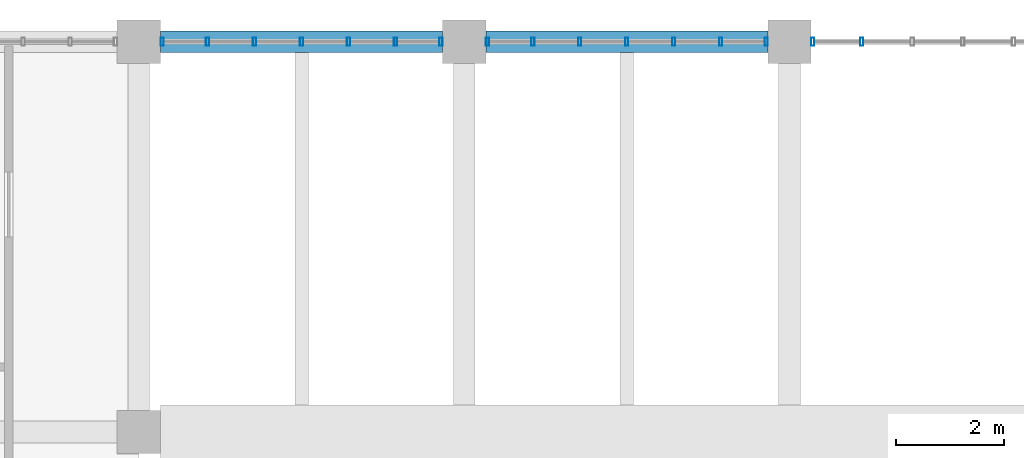
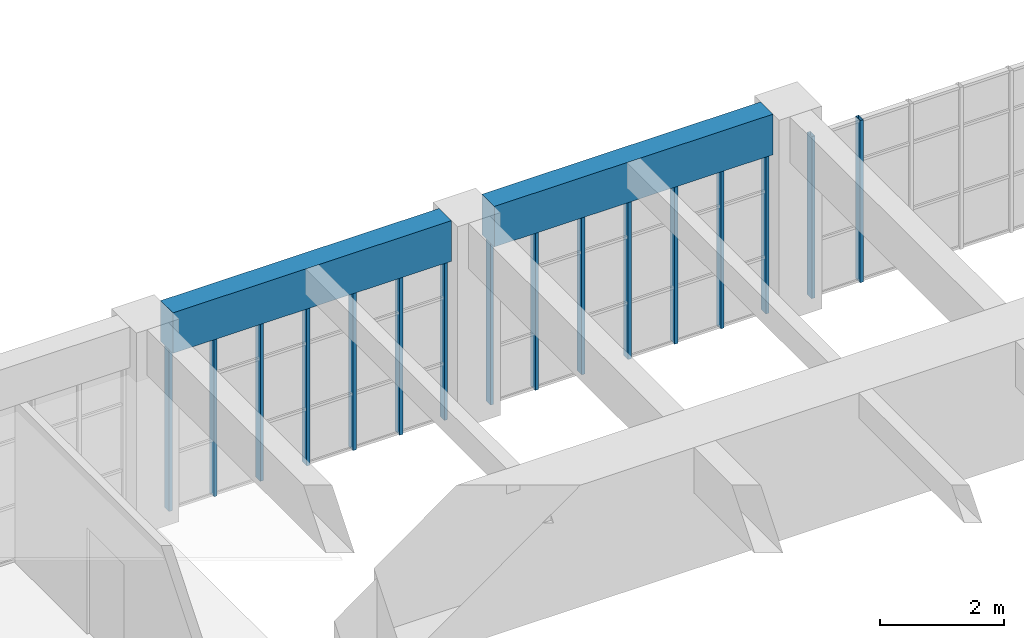
# One storey, part 20 of 47: 16 members, 2 beams, 3 elements without a shape of their own.
"""IFC4 building model written with IfcOpenShell, lengths in metres."""

import ifcopenshell
import ifcopenshell.guid

model = None  # the IFC model being written
_history = None  # IfcOwnerHistory: only IFC2X3 demands one
_inside = {}  # id of a spatial element -> (the spatial element, [elements in it])
_under = {}  # id of a project, library or spatial element -> (it, [spatial elements below it])
_declared = {}  # id of a project -> (the project, [libraries it declares])
_typed = {}  # id of a type object -> (the type object, [elements of that type])
_made_of = {}  # id of a material, layer set ... -> (it, [elements and type objects made of it])


def new_model(schema):
    """Start an empty IFC model of exactly this schema.

    Asked for "IFC4X3", IfcOpenShell would pick the latest addendum, in which some entities
    have other attributes; the version numbers below select the first issue.
    IFC2X3 requires an IfcOwnerHistory on every rooted entity: one is made here for all.
    """
    global model, _history
    if schema == "IFC4X3":
        model = ifcopenshell.file(schema_version=(4, 3, 0, 0))
    else:
        model = ifcopenshell.file(schema=schema)
    _inside.clear()
    _under.clear()
    _declared.clear()
    _typed.clear()
    _made_of.clear()
    _history = None
    if model.schema == "IFC2X3":
        org = make("IfcOrganization", Name="unknown")
        user = make(
            "IfcPersonAndOrganization",
            ThePerson=make("IfcPerson", FamilyName="unknown"),
            TheOrganization=org,
        )
        app = make(
            "IfcApplication",
            ApplicationDeveloper=org,
            Version="unknown",
            ApplicationFullName="unknown",
            ApplicationIdentifier="unknown",
        )
        _history = make(
            "IfcOwnerHistory",
            OwningUser=user,
            OwningApplication=app,
            ChangeAction="ADDED",
            CreationDate=0,
        )
    return model


def make(cls, **values):
    """One entity of the class cls with the attributes given. An attribute that is None is left unset."""
    return model.create_entity(
        cls, **{name: value for name, value in values.items() if value is not None}
    )


def rooted(cls, **values):
    """An entity with a GlobalId (a new one), such as an element, a storey or a relation."""
    return make(cls, GlobalId=ifcopenshell.guid.new(), OwnerHistory=_history, **values)


def si_unit(unit_type, name, prefix=None):
    """IfcSIUnit, for example si_unit("LENGTHUNIT", "METRE", prefix="MILLI")."""
    return make("IfcSIUnit", UnitType=unit_type, Prefix=prefix, Name=name)


def assignment(units):
    """IfcUnitAssignment: the units of a project."""
    return None if units is None else make("IfcUnitAssignment", Units=units)


def point(xyz):
    """IfcCartesianPoint."""
    return None if xyz is None else make("IfcCartesianPoint", Coordinates=xyz)


def direction(xyz):
    """IfcDirection."""
    return None if xyz is None else make("IfcDirection", DirectionRatios=xyz)


def frame(location, z_axis=None, x_axis=None):
    """IfcAxis2Placement3D, a coordinate frame: its origin and axes. An axis left out is left unset."""
    return make(
        "IfcAxis2Placement3D",
        Location=point(location),
        Axis=direction(z_axis),
        RefDirection=direction(x_axis),
    )


def frame_2d(location, x_axis=None):
    """IfcAxis2Placement2D, a coordinate frame in the plane: its origin and x axis."""
    return make(
        "IfcAxis2Placement2D", Location=point(location), RefDirection=direction(x_axis)
    )


def origin():
    """The frame at (0, 0, 0) with its axes left unset."""
    return frame((0.0, 0.0, 0.0))


def origin_2d():
    """The frame at (0, 0) in the plane with its x axis left unset."""
    return frame_2d((0.0, 0.0))


def place(relative_to, where):
    """IfcLocalPlacement: puts the frame where relative to a parent placement (None: the world)."""
    return make(
        "IfcLocalPlacement", PlacementRelTo=relative_to, RelativePlacement=where
    )


def context(
    kind, dimensions, precision=None, world=None, true_north=None, identifier=None
):
    """IfcGeometricRepresentationContext, for example the 3D "Model" context."""
    return make(
        "IfcGeometricRepresentationContext",
        ContextIdentifier=identifier,
        ContextType=kind,
        CoordinateSpaceDimension=dimensions,
        Precision=precision,
        WorldCoordinateSystem=world,
        TrueNorth=true_north,
    )


def subcontext(parent, identifier, kind, view, scale=None):
    """IfcGeometricRepresentationSubContext, for example "Body" below "Model"."""
    return make(
        "IfcGeometricRepresentationSubContext",
        ContextIdentifier=identifier,
        ContextType=kind,
        ParentContext=parent,
        TargetScale=scale,
        TargetView=view,
    )


def project(units=None, contexts=None):
    """IfcProject with its units and contexts."""
    return rooted(
        "IfcProject",
        Name="project",
        RepresentationContexts=contexts,
        UnitsInContext=assignment(units),
    )


def spatial(cls, under=None, at=None, **own):
    """A site, building, storey or space (cls), placed at a placement, below another one or the project."""
    s = rooted(cls, ObjectPlacement=at, **own)
    if under is not None:
        _under.setdefault(under.id(), (under, []))[1].append(s)
    return s


def profile(cls, at=None, kind="AREA", **sizes):
    """A parametric profile (cls). Its sizes go by their IFC names, for example OverallWidth=200.0."""
    return make(cls, ProfileType=kind, Position=at, **sizes)


def rectangle(**sizes):
    """IfcRectangleProfileDef."""
    return profile("IfcRectangleProfileDef", **sizes)


def hollow_rectangle(**sizes):
    """IfcRectangleHollowProfileDef."""
    return profile("IfcRectangleHollowProfileDef", **sizes)


def extrude(swept, where, along, depth):
    """IfcExtrudedAreaSolid: the profile swept, set in the frame where, extruded along a direction by depth."""
    return make(
        "IfcExtrudedAreaSolid",
        SweptArea=swept,
        Position=where,
        ExtrudedDirection=direction(along),
        Depth=depth,
    )


def shape(context_of_items, identifier, shape_type, items):
    """IfcShapeRepresentation: the items that make up one representation, for example the "Body"."""
    return make(
        "IfcShapeRepresentation",
        ContextOfItems=context_of_items,
        RepresentationIdentifier=identifier,
        RepresentationType=shape_type,
        Items=items,
    )


def material(Name=None, Category=None):
    """IfcMaterial."""
    return make("IfcMaterial", Name=Name, Category=Category)


def material_profile(
    of_material, cross_section, Name=None, Category=None, Priority=None
):
    """IfcMaterialProfile: a cross section and its material."""
    return make(
        "IfcMaterialProfile",
        Name=Name,
        Material=of_material,
        Profile=cross_section,
        Priority=Priority,
        Category=Category,
    )


def profile_set(profiles, Name=None, composite=None):
    """IfcMaterialProfileSet."""
    return make(
        "IfcMaterialProfileSet",
        Name=Name,
        MaterialProfiles=profiles,
        CompositeProfile=composite,
    )


def made_of(thing, what):
    """Note that an element or type object is made of a material, layer set ...; save() writes the relation."""
    if what is not None:
        _made_of.setdefault(what.id(), (what, []))[1].append(thing)
    return thing


def type_object(cls, material=None, **own):
    """A type object (cls), such as IfcWallType, which elements share."""
    return made_of(rooted(cls, **own), material)


def element(
    cls,
    number,
    at=None,
    inside=None,
    cuts=None,
    type_object=None,
    material=None,
    context=None,
    identifier="Body",
    shape_type=None,
    held_by="IfcProductDefinitionShape",
    body=None,
    shapes=None,
    **own,
):
    """One element of the class cls, such as IfcWall. Its Tag is "e" and its number.

    at: its placement. inside: the storey or other place that contains it. cuts: it is an
    opening in that element (IfcRelVoidsElement). A single representation is given by context,
    identifier, shape_type and body (its items); several are given by shapes. held_by: the class
    of the entity that holds the representations. save() writes the other relations.
    """
    e = rooted(cls, Tag="e%d" % number, ObjectPlacement=at, **own)
    if body is not None:
        shapes = [shape(context, identifier, shape_type, body)]
    if shapes is not None:
        e.Representation = make(held_by, Representations=shapes)
    if inside is not None:
        _inside.setdefault(inside.id(), (inside, []))[1].append(e)
    if cuts is not None:
        rooted(
            "IfcRelVoidsElement", RelatingBuildingElement=cuts, RelatedOpeningElement=e
        )
    if type_object is not None:
        _typed.setdefault(type_object.id(), (type_object, []))[1].append(e)
    return made_of(e, material)


def aggregate(whole, parts):
    """IfcRelAggregates: a whole, such as a stair, and the parts it consists of."""
    return rooted("IfcRelAggregates", RelatingObject=whole, RelatedObjects=parts)


def save(model, path):
    """Write the relations noted so far, then the file.

    IfcRelAggregates (storeys below a building ...), IfcRelContainedInSpatialStructure (elements
    in a storey), IfcRelDefinesByType, IfcRelAssociatesMaterial and IfcRelDeclares: one each for
    every whole, place, type object, material and project.
    """
    for whole, parts in _under.values():
        aggregate(whole, parts)
    for where, things in _inside.values():
        rooted(
            "IfcRelContainedInSpatialStructure",
            RelatedElements=things,
            RelatingStructure=where,
        )
    for kind, things in _typed.values():
        rooted("IfcRelDefinesByType", RelatedObjects=things, RelatingType=kind)
    for what, things in _made_of.values():
        rooted("IfcRelAssociatesMaterial", RelatedObjects=things, RelatingMaterial=what)
    for by, libraries in _declared.values():
        rooted("IfcRelDeclares", RelatingContext=by, RelatedDefinitions=libraries)
    model.write(path)


model = new_model("IFC4")

# Units and contexts
model_context = context("Model", 3, precision=1e-05, world=origin(), true_north=direction((0.0, 1.0)))
body_context = subcontext(model_context, "Body", "Model", "MODEL_VIEW")
ifc_project = project(units=[si_unit("LENGTHUNIT", "METRE"), si_unit("AREAUNIT", "SQUARE_METRE"), si_unit("VOLUMEUNIT", "CUBIC_METRE"), si_unit("PLANEANGLEUNIT", "RADIAN"), si_unit("MASSUNIT", "GRAM", prefix="KILO")], contexts=[model_context])

# Site, building, storey
site_placement = place(None, origin())
site = spatial("IfcSite", under=ifc_project, at=site_placement, CompositionType="ELEMENT")
building_placement = place(site_placement, origin())
building = spatial("IfcBuilding", under=site, at=building_placement, Name="Laocheng Heights Fire and Rescue Headquarters", CompositionType="ELEMENT")
storey_placement = place(building_placement, frame((0.0, 0.0, 16.800048828125)))
storey = spatial("IfcBuildingStorey", under=building, at=storey_placement, Name="L04", CompositionType="ELEMENT", Elevation=16.800048828125)

# Curtain wall, members
ifc_material_1 = material(Name="Dark anodised aluminium unitised curtain wall, low-e double glazing", Category="aluminium")
curtain_wall_type_1 = type_object("IfcCurtainWallType", Name="CW 5200 x 3200 HQ CONTROL ROOM FACE", PredefinedType="NOTDEFINED", material=ifc_material_1)
curtain_wall_1_placement = place(storey_placement, origin())
curtain_wall_1 = element("IfcCurtainWall", 1, at=curtain_wall_1_placement, inside=storey, type_object=curtain_wall_type_1, Name="X24-X HQ NORTH L04", PredefinedType="NOTDEFINED")
ifc_material_2 = material(Name="Dark anodised aluminium 6063-T5 extrusion", Category="aluminium")
ifc_material_profile_1 = material_profile(ifc_material_2, hollow_rectangle(XDim=0.14990234375, YDim=0.06005859375, WallThickness=0.0029296875, at=origin_2d()), Name="AL MULLION 150x60x3 HQ CONTROL ROOM FACE")
ifc_profile_set_1 = profile_set([ifc_material_profile_1], Name="Dark anodised aluminium 6063-T5 extrusion")
member_type = type_object("IfcMemberType", Name="AL MULLION 150x60x3 HQ CONTROL ROOM FACE", PredefinedType="MULLION", material=ifc_profile_set_1)
member_1_placement = place(storey_placement, frame((48.429931640625, 72.0, 0.0), z_axis=(0.0, 0.0, 1.0), x_axis=(0.0, 1.0, 0.0)))
member_1 = element("IfcMember", 2, at=member_1_placement, type_object=member_type, Name="X24-X mullion 1", PredefinedType="MULLION", context=body_context, shape_type="SweptSolid", body=[
    extrude(hollow_rectangle(XDim=0.14990234375, YDim=0.06005859375, WallThickness=0.0029296875, at=origin_2d()), origin(), (0.0, 0.0, 1.0), 3.199951171875),
])
member_2_placement = place(storey_placement, frame((49.2666015625, 72.0, 0.0), z_axis=(0.0, 0.0, 1.0), x_axis=(0.0, 1.0, 0.0)))
member_2 = element("IfcMember", 3, at=member_2_placement, type_object=member_type, Name="X24-X mullion 2", PredefinedType="MULLION", context=body_context, shape_type="SweptSolid", body=[
    extrude(hollow_rectangle(XDim=0.14990234375, YDim=0.06005859375, WallThickness=0.0029296875, at=origin_2d()), origin(), (0.0, 0.0, 1.0), 3.199951171875),
])
member_3_placement = place(storey_placement, frame((50.13330078125, 72.0, 0.0), z_axis=(0.0, 0.0, 1.0), x_axis=(0.0, 1.0, 0.0)))
member_3 = element("IfcMember", 4, at=member_3_placement, type_object=member_type, Name="X24-X mullion 3", PredefinedType="MULLION", context=body_context, shape_type="SweptSolid", body=[
    extrude(hollow_rectangle(XDim=0.14990234375, YDim=0.06005859375, WallThickness=0.0029296875, at=origin_2d()), origin(), (0.0, 0.0, 1.0), 3.199951171875),
])
member_4_placement = place(storey_placement, frame((51.0, 72.0, 0.0), z_axis=(0.0, 0.0, 1.0), x_axis=(0.0, 1.0, 0.0)))
member_4 = element("IfcMember", 5, at=member_4_placement, type_object=member_type, Name="X24-X mullion 4", PredefinedType="MULLION", context=body_context, shape_type="SweptSolid", body=[
    extrude(hollow_rectangle(XDim=0.14990234375, YDim=0.06005859375, WallThickness=0.0029296875, at=origin_2d()), origin(), (0.0, 0.0, 1.0), 3.199951171875),
])
member_5_placement = place(storey_placement, frame((51.86669921875, 72.0, 0.0), z_axis=(0.0, 0.0, 1.0), x_axis=(0.0, 1.0, 0.0)))
member_5 = element("IfcMember", 6, at=member_5_placement, type_object=member_type, Name="X24-X mullion 5", PredefinedType="MULLION", context=body_context, shape_type="SweptSolid", body=[
    extrude(hollow_rectangle(XDim=0.14990234375, YDim=0.06005859375, WallThickness=0.0029296875, at=origin_2d()), origin(), (0.0, 0.0, 1.0), 3.199951171875),
])
member_6_placement = place(storey_placement, frame((52.7333984375, 72.0, 0.0), z_axis=(0.0, 0.0, 1.0), x_axis=(0.0, 1.0, 0.0)))
member_6 = element("IfcMember", 7, at=member_6_placement, type_object=member_type, Name="X24-X mullion 6", PredefinedType="MULLION", context=body_context, shape_type="SweptSolid", body=[
    extrude(hollow_rectangle(XDim=0.14990234375, YDim=0.06005859375, WallThickness=0.0029296875, at=origin_2d()), origin(), (0.0, 0.0, 1.0), 3.199951171875),
])
member_7_placement = place(storey_placement, frame((53.570068359375, 72.0, 0.0), z_axis=(0.0, 0.0, 1.0), x_axis=(0.0, 1.0, 0.0)))
member_7 = element("IfcMember", 8, at=member_7_placement, type_object=member_type, Name="X24-X mullion 7", PredefinedType="MULLION", context=body_context, shape_type="SweptSolid", body=[
    extrude(hollow_rectangle(XDim=0.14990234375, YDim=0.06005859375, WallThickness=0.0029296875, at=origin_2d()), origin(), (0.0, 0.0, 1.0), 3.199951171875),
])
aggregate(curtain_wall_1, [member_1, member_2, member_3, member_4, member_5, member_6, member_7])

curtain_wall_2_placement = place(storey_placement, origin())
curtain_wall_2 = element("IfcCurtainWall", 9, at=curtain_wall_2_placement, inside=storey, type_object=curtain_wall_type_1, Name="X24-X HQ NORTH L04", PredefinedType="NOTDEFINED")
member_8_placement = place(storey_placement, frame((54.429931640625, 72.0, 0.0), z_axis=(0.0, 0.0, 1.0), x_axis=(0.0, 1.0, 0.0)))
member_8 = element("IfcMember", 10, at=member_8_placement, type_object=member_type, Name="X24-X mullion 1", PredefinedType="MULLION", context=body_context, shape_type="SweptSolid", body=[
    extrude(hollow_rectangle(XDim=0.14990234375, YDim=0.06005859375, WallThickness=0.0029296875, at=origin_2d()), origin(), (0.0, 0.0, 1.0), 3.199951171875),
])
member_9_placement = place(storey_placement, frame((55.2666015625, 72.0, 0.0), z_axis=(0.0, 0.0, 1.0), x_axis=(0.0, 1.0, 0.0)))
member_9 = element("IfcMember", 11, at=member_9_placement, type_object=member_type, Name="X24-X mullion 2", PredefinedType="MULLION", context=body_context, shape_type="SweptSolid", body=[
    extrude(hollow_rectangle(XDim=0.14990234375, YDim=0.06005859375, WallThickness=0.0029296875, at=origin_2d()), origin(), (0.0, 0.0, 1.0), 3.199951171875),
])
member_10_placement = place(storey_placement, frame((56.13330078125, 72.0, 0.0), z_axis=(0.0, 0.0, 1.0), x_axis=(0.0, 1.0, 0.0)))
member_10 = element("IfcMember", 12, at=member_10_placement, type_object=member_type, Name="X24-X mullion 3", PredefinedType="MULLION", context=body_context, shape_type="SweptSolid", body=[
    extrude(hollow_rectangle(XDim=0.14990234375, YDim=0.06005859375, WallThickness=0.0029296875, at=origin_2d()), origin(), (0.0, 0.0, 1.0), 3.199951171875),
])
member_11_placement = place(storey_placement, frame((57.0, 72.0, 0.0), z_axis=(0.0, 0.0, 1.0), x_axis=(0.0, 1.0, 0.0)))
member_11 = element("IfcMember", 13, at=member_11_placement, type_object=member_type, Name="X24-X mullion 4", PredefinedType="MULLION", context=body_context, shape_type="SweptSolid", body=[
    extrude(hollow_rectangle(XDim=0.14990234375, YDim=0.06005859375, WallThickness=0.0029296875, at=origin_2d()), origin(), (0.0, 0.0, 1.0), 3.199951171875),
])
member_12_placement = place(storey_placement, frame((57.86669921875, 72.0, 0.0), z_axis=(0.0, 0.0, 1.0), x_axis=(0.0, 1.0, 0.0)))
member_12 = element("IfcMember", 14, at=member_12_placement, type_object=member_type, Name="X24-X mullion 5", PredefinedType="MULLION", context=body_context, shape_type="SweptSolid", body=[
    extrude(hollow_rectangle(XDim=0.14990234375, YDim=0.06005859375, WallThickness=0.0029296875, at=origin_2d()), origin(), (0.0, 0.0, 1.0), 3.199951171875),
])
member_13_placement = place(storey_placement, frame((58.7333984375, 72.0, 0.0), z_axis=(0.0, 0.0, 1.0), x_axis=(0.0, 1.0, 0.0)))
member_13 = element("IfcMember", 15, at=member_13_placement, type_object=member_type, Name="X24-X mullion 6", PredefinedType="MULLION", context=body_context, shape_type="SweptSolid", body=[
    extrude(hollow_rectangle(XDim=0.14990234375, YDim=0.06005859375, WallThickness=0.0029296875, at=origin_2d()), origin(), (0.0, 0.0, 1.0), 3.199951171875),
])
member_14_placement = place(storey_placement, frame((59.570068359375, 72.0, 0.0), z_axis=(0.0, 0.0, 1.0), x_axis=(0.0, 1.0, 0.0)))
member_14 = element("IfcMember", 16, at=member_14_placement, type_object=member_type, Name="X24-X mullion 7", PredefinedType="MULLION", context=body_context, shape_type="SweptSolid", body=[
    extrude(hollow_rectangle(XDim=0.14990234375, YDim=0.06005859375, WallThickness=0.0029296875, at=origin_2d()), origin(), (0.0, 0.0, 1.0), 3.199951171875),
])
aggregate(curtain_wall_2, [member_8, member_9, member_10, member_11, member_12, member_13, member_14])

ifc_material_3 = material(Name="Dark anodised aluminium unitised curtain wall, low-e double glazing", Category="aluminium")
curtain_wall_type_2 = type_object("IfcCurtainWallType", Name="CW 5600 x 3200 HQ CONTROL ROOM FACE", PredefinedType="NOTDEFINED", material=ifc_material_3)
curtain_wall_3_placement = place(storey_placement, origin())
curtain_wall_3 = element("IfcCurtainWall", 17, at=curtain_wall_3_placement, inside=storey, type_object=curtain_wall_type_2, Name="X25-X HQ NORTH L04", PredefinedType="NOTDEFINED")
member_15_placement = place(storey_placement, frame((60.429931640625, 72.0, 0.0), z_axis=(0.0, 0.0, 1.0), x_axis=(0.0, 1.0, 0.0)))
member_15 = element("IfcMember", 18, at=member_15_placement, type_object=member_type, Name="X25-X mullion 1", PredefinedType="MULLION", context=body_context, shape_type="SweptSolid", body=[
    extrude(hollow_rectangle(XDim=0.14990234375, YDim=0.06005859375, WallThickness=0.0029296875, at=origin_2d()), origin(), (0.0, 0.0, 1.0), 3.199951171875),
])
member_16_placement = place(storey_placement, frame((61.333251953125, 72.0, 0.0), z_axis=(0.0, 0.0, 1.0), x_axis=(0.0, 1.0, 0.0)))
member_16 = element("IfcMember", 19, at=member_16_placement, type_object=member_type, Name="X25-X mullion 2", PredefinedType="MULLION", context=body_context, shape_type="SweptSolid", body=[
    extrude(hollow_rectangle(XDim=0.14990234375, YDim=0.06005859375, WallThickness=0.0029296875, at=origin_2d()), origin(), (0.0, 0.0, 1.0), 3.199951171875),
])
aggregate(curtain_wall_3, [member_15, member_16])

# Beams
ifc_material_4 = material(Name="Concrete C40", Category="concrete")
ifc_material_profile_2 = material_profile(ifc_material_4, rectangle(XDim=0.39990234375, YDim=0.800048828125, at=origin_2d()), Name="RC BEAM 400x800 HQ")
ifc_profile_set_2 = profile_set([ifc_material_profile_2], Name="Concrete C40")
beam_type = type_object("IfcBeamType", Name="RC BEAM 400x800 HQ", PredefinedType="BEAM", material=ifc_profile_set_2)
for number, where, z_axis, x_axis, name in (
    (20, (48.39990234375, 72.0, 3.599853515625), (1.0, 0.0, 0.0), (0.0, 1.0, 0.0), "HQ beam L04"),
    (21, (54.39990234375, 72.0, 3.599853515625), (1.0, 0.0, 0.0), (0.0, 1.0, 0.0), "HQ beam L04"),
):
    element("IfcBeam", number, at=place(storey_placement, frame(where, z_axis=z_axis, x_axis=x_axis)), inside=storey, type_object=beam_type, Name=name, PredefinedType="BEAM", context=body_context, shape_type="SweptSolid", body=[
        extrude(rectangle(XDim=0.39990234375, YDim=0.800048828125, at=origin_2d()), origin(), (0.0, 0.0, 1.0), 5.2001953125),
    ])

save(model, "model.ifc")
